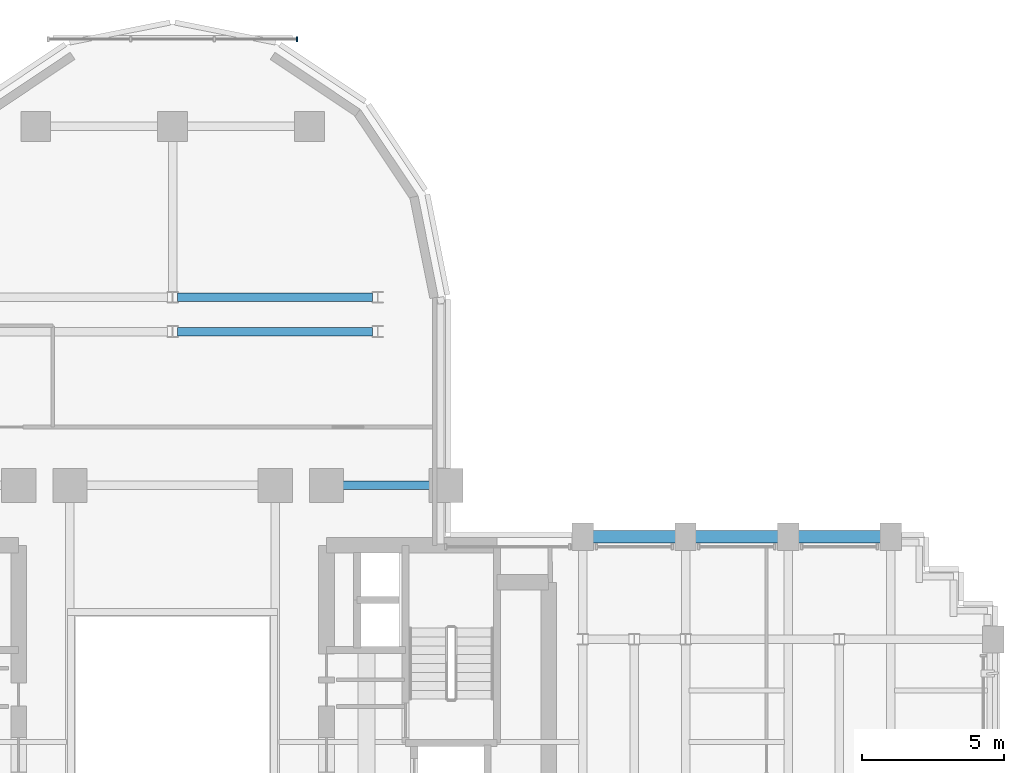
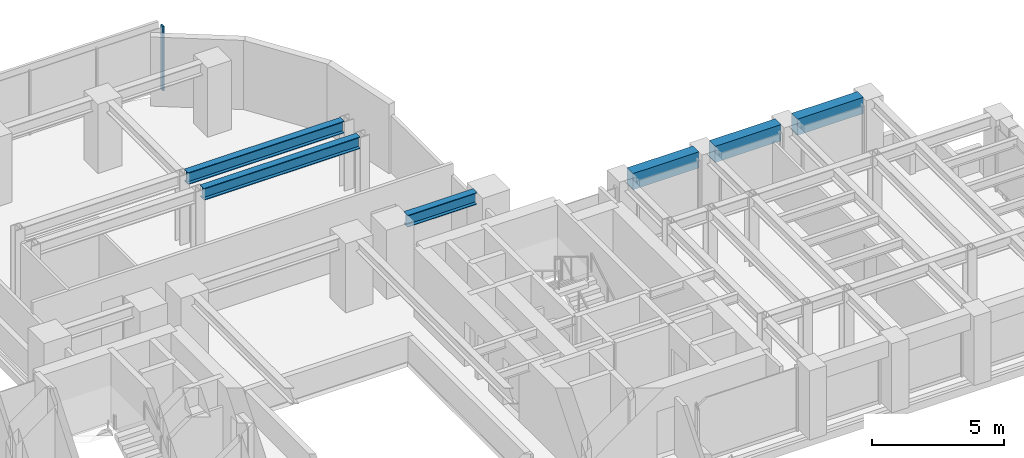
# One storey, part 8 of 16: 6 beams, 1 member, 1 element without a shape of its own.
"""IFC4 building model written with IfcOpenShell, lengths in metres."""

import ifcopenshell
import ifcopenshell.guid

model = None  # the IFC model being written
_history = None  # IfcOwnerHistory: only IFC2X3 demands one
_inside = {}  # id of a spatial element -> (the spatial element, [elements in it])
_under = {}  # id of a project, library or spatial element -> (it, [spatial elements below it])
_declared = {}  # id of a project -> (the project, [libraries it declares])
_typed = {}  # id of a type object -> (the type object, [elements of that type])
_made_of = {}  # id of a material, layer set ... -> (it, [elements and type objects made of it])


def new_model(schema):
    """Start an empty IFC model of exactly this schema.

    Asked for "IFC4X3", IfcOpenShell would pick the latest addendum, in which some entities
    have other attributes; the version numbers below select the first issue.
    IFC2X3 requires an IfcOwnerHistory on every rooted entity: one is made here for all.
    """
    global model, _history
    if schema == "IFC4X3":
        model = ifcopenshell.file(schema_version=(4, 3, 0, 0))
    else:
        model = ifcopenshell.file(schema=schema)
    _inside.clear()
    _under.clear()
    _declared.clear()
    _typed.clear()
    _made_of.clear()
    _history = None
    if model.schema == "IFC2X3":
        org = make("IfcOrganization", Name="unknown")
        user = make(
            "IfcPersonAndOrganization",
            ThePerson=make("IfcPerson", FamilyName="unknown"),
            TheOrganization=org,
        )
        app = make(
            "IfcApplication",
            ApplicationDeveloper=org,
            Version="unknown",
            ApplicationFullName="unknown",
            ApplicationIdentifier="unknown",
        )
        _history = make(
            "IfcOwnerHistory",
            OwningUser=user,
            OwningApplication=app,
            ChangeAction="ADDED",
            CreationDate=0,
        )
    return model


def make(cls, **values):
    """One entity of the class cls with the attributes given. An attribute that is None is left unset."""
    return model.create_entity(
        cls, **{name: value for name, value in values.items() if value is not None}
    )


def rooted(cls, **values):
    """An entity with a GlobalId (a new one), such as an element, a storey or a relation."""
    return make(cls, GlobalId=ifcopenshell.guid.new(), OwnerHistory=_history, **values)


def si_unit(unit_type, name, prefix=None):
    """IfcSIUnit, for example si_unit("LENGTHUNIT", "METRE", prefix="MILLI")."""
    return make("IfcSIUnit", UnitType=unit_type, Prefix=prefix, Name=name)


def assignment(units):
    """IfcUnitAssignment: the units of a project."""
    return None if units is None else make("IfcUnitAssignment", Units=units)


def point(xyz):
    """IfcCartesianPoint."""
    return None if xyz is None else make("IfcCartesianPoint", Coordinates=xyz)


def direction(xyz):
    """IfcDirection."""
    return None if xyz is None else make("IfcDirection", DirectionRatios=xyz)


def frame(location, z_axis=None, x_axis=None):
    """IfcAxis2Placement3D, a coordinate frame: its origin and axes. An axis left out is left unset."""
    return make(
        "IfcAxis2Placement3D",
        Location=point(location),
        Axis=direction(z_axis),
        RefDirection=direction(x_axis),
    )


def frame_2d(location, x_axis=None):
    """IfcAxis2Placement2D, a coordinate frame in the plane: its origin and x axis."""
    return make(
        "IfcAxis2Placement2D", Location=point(location), RefDirection=direction(x_axis)
    )


def origin():
    """The frame at (0, 0, 0) with its axes left unset."""
    return frame((0.0, 0.0, 0.0))


def origin_2d():
    """The frame at (0, 0) in the plane with its x axis left unset."""
    return frame_2d((0.0, 0.0))


def place(relative_to, where):
    """IfcLocalPlacement: puts the frame where relative to a parent placement (None: the world)."""
    return make(
        "IfcLocalPlacement", PlacementRelTo=relative_to, RelativePlacement=where
    )


def context(
    kind, dimensions, precision=None, world=None, true_north=None, identifier=None
):
    """IfcGeometricRepresentationContext, for example the 3D "Model" context."""
    return make(
        "IfcGeometricRepresentationContext",
        ContextIdentifier=identifier,
        ContextType=kind,
        CoordinateSpaceDimension=dimensions,
        Precision=precision,
        WorldCoordinateSystem=world,
        TrueNorth=true_north,
    )


def subcontext(parent, identifier, kind, view, scale=None):
    """IfcGeometricRepresentationSubContext, for example "Body" below "Model"."""
    return make(
        "IfcGeometricRepresentationSubContext",
        ContextIdentifier=identifier,
        ContextType=kind,
        ParentContext=parent,
        TargetScale=scale,
        TargetView=view,
    )


def project(units=None, contexts=None):
    """IfcProject with its units and contexts."""
    return rooted(
        "IfcProject",
        Name="project",
        RepresentationContexts=contexts,
        UnitsInContext=assignment(units),
    )


def spatial(cls, under=None, at=None, **own):
    """A site, building, storey or space (cls), placed at a placement, below another one or the project."""
    s = rooted(cls, ObjectPlacement=at, **own)
    if under is not None:
        _under.setdefault(under.id(), (under, []))[1].append(s)
    return s


def profile(cls, at=None, kind="AREA", **sizes):
    """A parametric profile (cls). Its sizes go by their IFC names, for example OverallWidth=200.0."""
    return make(cls, ProfileType=kind, Position=at, **sizes)


def rectangle(**sizes):
    """IfcRectangleProfileDef."""
    return profile("IfcRectangleProfileDef", **sizes)


def i_section(**sizes):
    """IfcIShapeProfileDef."""
    return profile("IfcIShapeProfileDef", **sizes)


def extrude(swept, where, along, depth):
    """IfcExtrudedAreaSolid: the profile swept, set in the frame where, extruded along a direction by depth."""
    return make(
        "IfcExtrudedAreaSolid",
        SweptArea=swept,
        Position=where,
        ExtrudedDirection=direction(along),
        Depth=depth,
    )


def shape(context_of_items, identifier, shape_type, items):
    """IfcShapeRepresentation: the items that make up one representation, for example the "Body"."""
    return make(
        "IfcShapeRepresentation",
        ContextOfItems=context_of_items,
        RepresentationIdentifier=identifier,
        RepresentationType=shape_type,
        Items=items,
    )


def source(mapping_origin, context_of_items, identifier, shape_type, items):
    """IfcRepresentationMap: a shape defined once, which mapped items show again and again."""
    return make(
        "IfcRepresentationMap",
        MappingOrigin=mapping_origin,
        MappedRepresentation=shape(context_of_items, identifier, shape_type, items),
    )


def transform(
    local_origin,
    x_axis=None,
    y_axis=None,
    z_axis=None,
    scale=None,
    scale2=None,
    scale3=None,
    uniform=True,
):
    """IfcCartesianTransformationOperator3D, or its non-uniform kind. x_axis, y_axis, z_axis: its Axis1, 2, 3."""
    if uniform:
        return make(
            "IfcCartesianTransformationOperator3D",
            Axis1=direction(x_axis),
            Axis2=direction(y_axis),
            LocalOrigin=point(local_origin),
            Scale=scale,
            Axis3=direction(z_axis),
        )
    return make(
        "IfcCartesianTransformationOperator3DnonUniform",
        Axis1=direction(x_axis),
        Axis2=direction(y_axis),
        LocalOrigin=point(local_origin),
        Scale=scale,
        Axis3=direction(z_axis),
        Scale2=scale2,
        Scale3=scale3,
    )


def mapped(mapping_source, mapping_target):
    """IfcMappedItem: shows the shape of a source again, moved by a transform."""
    return make(
        "IfcMappedItem", MappingSource=mapping_source, MappingTarget=mapping_target
    )


def material(Name=None, Category=None):
    """IfcMaterial."""
    return make("IfcMaterial", Name=Name, Category=Category)


def material_profile(
    of_material, cross_section, Name=None, Category=None, Priority=None
):
    """IfcMaterialProfile: a cross section and its material."""
    return make(
        "IfcMaterialProfile",
        Name=Name,
        Material=of_material,
        Profile=cross_section,
        Priority=Priority,
        Category=Category,
    )


def profile_set(profiles, Name=None, composite=None):
    """IfcMaterialProfileSet."""
    return make(
        "IfcMaterialProfileSet",
        Name=Name,
        MaterialProfiles=profiles,
        CompositeProfile=composite,
    )


def made_of(thing, what):
    """Note that an element or type object is made of a material, layer set ...; save() writes the relation."""
    if what is not None:
        _made_of.setdefault(what.id(), (what, []))[1].append(thing)
    return thing


def type_object(cls, material=None, **own):
    """A type object (cls), such as IfcWallType, which elements share."""
    return made_of(rooted(cls, **own), material)


def element(
    cls,
    number,
    at=None,
    inside=None,
    cuts=None,
    type_object=None,
    material=None,
    context=None,
    identifier="Body",
    shape_type=None,
    held_by="IfcProductDefinitionShape",
    body=None,
    shapes=None,
    **own,
):
    """One element of the class cls, such as IfcWall. Its Tag is "e" and its number.

    at: its placement. inside: the storey or other place that contains it. cuts: it is an
    opening in that element (IfcRelVoidsElement). A single representation is given by context,
    identifier, shape_type and body (its items); several are given by shapes. held_by: the class
    of the entity that holds the representations. save() writes the other relations.
    """
    e = rooted(cls, Tag="e%d" % number, ObjectPlacement=at, **own)
    if body is not None:
        shapes = [shape(context, identifier, shape_type, body)]
    if shapes is not None:
        e.Representation = make(held_by, Representations=shapes)
    if inside is not None:
        _inside.setdefault(inside.id(), (inside, []))[1].append(e)
    if cuts is not None:
        rooted(
            "IfcRelVoidsElement", RelatingBuildingElement=cuts, RelatedOpeningElement=e
        )
    if type_object is not None:
        _typed.setdefault(type_object.id(), (type_object, []))[1].append(e)
    return made_of(e, material)


def aggregate(whole, parts):
    """IfcRelAggregates: a whole, such as a stair, and the parts it consists of."""
    return rooted("IfcRelAggregates", RelatingObject=whole, RelatedObjects=parts)


def save(model, path):
    """Write the relations noted so far, then the file.

    IfcRelAggregates (storeys below a building ...), IfcRelContainedInSpatialStructure (elements
    in a storey), IfcRelDefinesByType, IfcRelAssociatesMaterial and IfcRelDeclares: one each for
    every whole, place, type object, material and project.
    """
    for whole, parts in _under.values():
        aggregate(whole, parts)
    for where, things in _inside.values():
        rooted(
            "IfcRelContainedInSpatialStructure",
            RelatedElements=things,
            RelatingStructure=where,
        )
    for kind, things in _typed.values():
        rooted("IfcRelDefinesByType", RelatedObjects=things, RelatingType=kind)
    for what, things in _made_of.values():
        rooted("IfcRelAssociatesMaterial", RelatedObjects=things, RelatingMaterial=what)
    for by, libraries in _declared.values():
        rooted("IfcRelDeclares", RelatingContext=by, RelatedDefinitions=libraries)
    model.write(path)


model = new_model("IFC4")

# Units and contexts
model_context = context("Model", 3, precision=1e-05, world=origin(), true_north=direction((0.0, 1.0)))
body_context = subcontext(model_context, "Body", "Model", "MODEL_VIEW")
ifc_project = project(units=[si_unit("LENGTHUNIT", "METRE"), si_unit("AREAUNIT", "SQUARE_METRE"), si_unit("VOLUMEUNIT", "CUBIC_METRE"), si_unit("PLANEANGLEUNIT", "RADIAN"), si_unit("MASSUNIT", "GRAM", prefix="KILO")], contexts=[model_context])

# Site, building, storey
site_placement = place(None, origin())
site = spatial("IfcSite", under=ifc_project, at=site_placement, CompositionType="ELEMENT")
building_placement = place(site_placement, origin())
building = spatial("IfcBuilding", under=site, at=building_placement, Name="Keilestroom Media Tower", CompositionType="ELEMENT")
storey_placement = place(building_placement, frame((0.0, 0.0, 57.800048828125)))
storey = spatial("IfcBuildingStorey", under=building, at=storey_placement, Name="L14", CompositionType="ELEMENT", Elevation=57.800048828125)

# Beams
ifc_material_1 = material(Name="Steel S355", Category="steel")
ifc_material_profile_1 = material_profile(ifc_material_1, i_section(OverallWidth=0.300048828125, OverallDepth=0.550048828125, WebThickness=0.012939453125, FlangeThickness=0.029052734375, at=origin_2d()), Name="HEB 550")
ifc_profile_set_1 = profile_set([ifc_material_profile_1], Name="Steel S355")
beam_type_1 = type_object("IfcBeamType", Name="Primary-Structural-Girder-HEB-550", PredefinedType="BEAM", material=ifc_profile_set_1)
shared_shape_1 = source(origin(), body_context, "Body", "SweptSolid", [
    extrude(i_section(OverallWidth=0.300048828125, OverallDepth=0.550048828125, WebThickness=0.012939453125, FlangeThickness=0.029052734375, at=origin_2d()), origin(), (0.0, 0.0, 1.0), 6.836181640625),
])
for number, where, z_axis, x_axis, name in (
    (1, (0.181884765625, 14.39990234375, 2.925048828125), (1.0, 0.0, 0.0), (0.0, 1.0, 0.0), "L14 Beam BG-5 BM-L14-EW-046"),
    (2, (0.181884765625, 15.60009765625, 2.925048828125), (1.0, 0.0, 0.0), (0.0, 1.0, 0.0), "L14 Beam BG-5 BM-L14-EW-048"),
):
    element("IfcBeam", number, at=place(storey_placement, frame(where, z_axis=z_axis, x_axis=x_axis)), inside=storey, type_object=beam_type_1, Name=name, PredefinedType="BEAM", context=body_context, shape_type="MappedRepresentation", body=[
        mapped(shared_shape_1, transform((0.0, 0.0, 0.0), x_axis=(1.0, 0.0, 0.0), y_axis=(0.0, 1.0, 0.0), z_axis=(0.0, 0.0, 1.0), scale=1.0)),
    ])
shared_shape_2 = source(origin(), body_context, "Body", "SweptSolid", [
    extrude(i_section(OverallWidth=0.300048828125, OverallDepth=0.550048828125, WebThickness=0.012939453125, FlangeThickness=0.029052734375, at=origin_2d()), origin(), (0.0, 0.0, 1.0), 3.0400390625),
])
beam_1_placement = place(storey_placement, frame((5.97998046875, 9.0, 2.925048828125), z_axis=(1.0, 0.0, 0.0), x_axis=(0.0, 1.0, 0.0)))
element("IfcBeam", 3, at=beam_1_placement, inside=storey, type_object=beam_type_1, Name="L14 Beam BG-5 BM-L14-EW-044", PredefinedType="BEAM", context=body_context, shape_type="MappedRepresentation", body=[
    mapped(shared_shape_2, transform((0.0, 0.0, 0.0), x_axis=(1.0, 0.0, 0.0), y_axis=(0.0, 1.0, 0.0), z_axis=(0.0, 0.0, 1.0), scale=1.0)),
])
ifc_material_2 = material(Name="Precast concrete C40/50", Category="concrete")
ifc_material_profile_2 = material_profile(ifc_material_2, rectangle(XDim=0.449951171875, YDim=0.75, at=origin_2d()), Name="PC 450x750")
ifc_profile_set_2 = profile_set([ifc_material_profile_2], Name="Precast concrete C40/50")
beam_type_2 = type_object("IfcBeamType", Name="Perimeter-Spandrel-Beam-PC-450x750", PredefinedType="SPANDREL", material=ifc_profile_set_2)
shared_shape_3 = source(origin(), body_context, "Body", "SweptSolid", [
    extrude(rectangle(XDim=0.449951171875, YDim=0.75, at=origin_2d()), origin(), (0.0, 0.0, 1.0), 2.889892578125),
])
beam_2_placement = place(storey_placement, frame((21.955078125, 7.199951171875, 2.824951171875), z_axis=(1.0, 0.0, 0.0), x_axis=(0.0, 1.0, 0.0)))
element("IfcBeam", 4, at=beam_2_placement, inside=storey, type_object=beam_type_2, Name="L14 Beam SPB-1 BM-L14-EW-039", PredefinedType="SPANDREL", context=body_context, shape_type="MappedRepresentation", body=[
    mapped(shared_shape_3, transform((0.0, 0.0, 0.0), x_axis=(1.0, 0.0, 0.0), y_axis=(0.0, 1.0, 0.0), z_axis=(0.0, 0.0, 1.0), scale=1.0)),
])
shared_shape_4 = source(origin(), body_context, "Body", "SweptSolid", [
    extrude(rectangle(XDim=0.449951171875, YDim=0.75, at=origin_2d()), origin(), (0.0, 0.0, 1.0), 2.89013671875),
])
for number, where, z_axis, x_axis, name in (
    (5, (14.7548828125, 7.199951171875, 2.824951171875), (1.0, 0.0, 0.0), (0.0, 1.0, 0.0), "L14 Beam SPB-1 BM-L14-EW-037"),
    (6, (18.35498046875, 7.199951171875, 2.824951171875), (1.0, 0.0, 0.0), (0.0, 1.0, 0.0), "L14 Beam SPB-1 BM-L14-EW-038"),
):
    element("IfcBeam", number, at=place(storey_placement, frame(where, z_axis=z_axis, x_axis=x_axis)), inside=storey, type_object=beam_type_2, Name=name, PredefinedType="SPANDREL", context=body_context, shape_type="MappedRepresentation", body=[
        mapped(shared_shape_4, transform((0.0, 0.0, 0.0), x_axis=(1.0, 0.0, 0.0), y_axis=(0.0, 1.0, 0.0), z_axis=(0.0, 0.0, 1.0), scale=1.0)),
    ])

# Curtain wall, member
ifc_material_3 = material(Name="Anodised Aluminium Alloy", Category="aluminium")
curtain_wall_type = type_object("IfcCurtainWallType", Name="Unitised-Curtain-Wall-CW-6", PredefinedType="NOTDEFINED", material=ifc_material_3)
curtain_wall_placement = place(storey_placement, origin())
curtain_wall = element("IfcCurtainWall", 7, at=curtain_wall_placement, inside=storey, type_object=curtain_wall_type, Name="L14 Curtain Wall CW-6 CW-L14-LN-1", PredefinedType="NOTDEFINED")
ifc_material_profile_3 = material_profile(ifc_material_3, rectangle(XDim=0.06494140625, YDim=0.179931640625, at=origin_2d()), Name="ALU MULLION 65x180")
ifc_profile_set_3 = profile_set([ifc_material_profile_3], Name="Anodised Aluminium Alloy")
member_type = type_object("IfcMemberType", Name="Curtain-Wall-Mullion-CW-6", PredefinedType="MULLION", material=ifc_profile_set_3)
shared_shape_5 = source(origin(), body_context, "Body", "SweptSolid", [
    extrude(rectangle(XDim=0.06494140625, YDim=0.179931640625, at=origin_2d()), origin(), (0.0, 0.0, 1.0), 2.97998046875),
])
member_placement = place(storey_placement, frame((4.367431640625, 24.64990234375, 0.0), z_axis=(0.0, 0.0, 1.0), x_axis=(1.0, 0.0, 0.0)))
member = element("IfcMember", 8, at=member_placement, type_object=member_type, Name="CW-6 Mullion 03", PredefinedType="MULLION", context=body_context, shape_type="MappedRepresentation", body=[
    mapped(shared_shape_5, transform((0.0, 0.0, 0.0), x_axis=(1.0, 0.0, 0.0), y_axis=(0.0, 1.0, 0.0), z_axis=(0.0, 0.0, 1.0), scale=1.0)),
])
aggregate(curtain_wall, [member])

save(model, "model.ifc")
